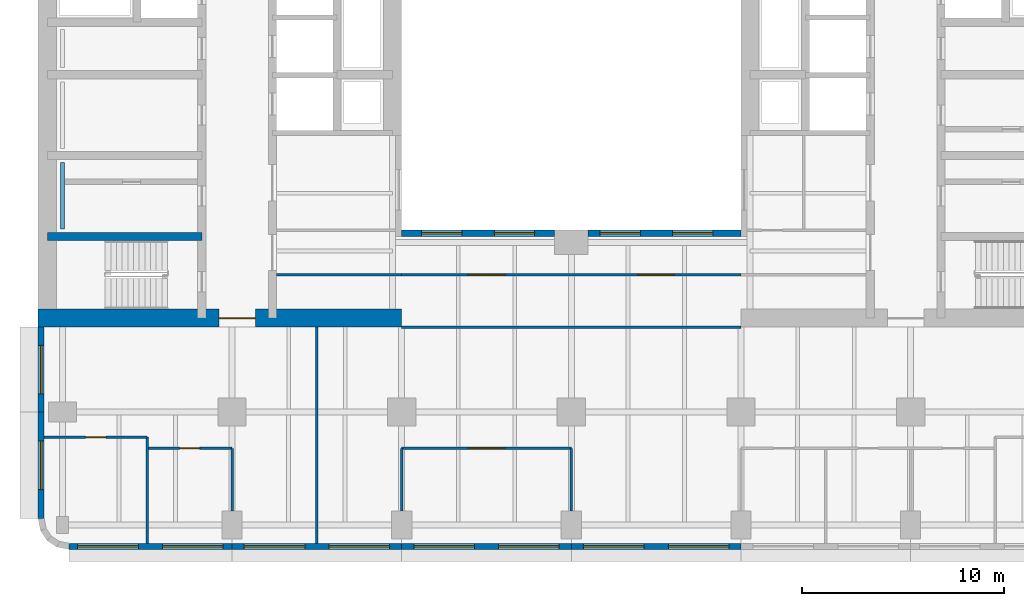
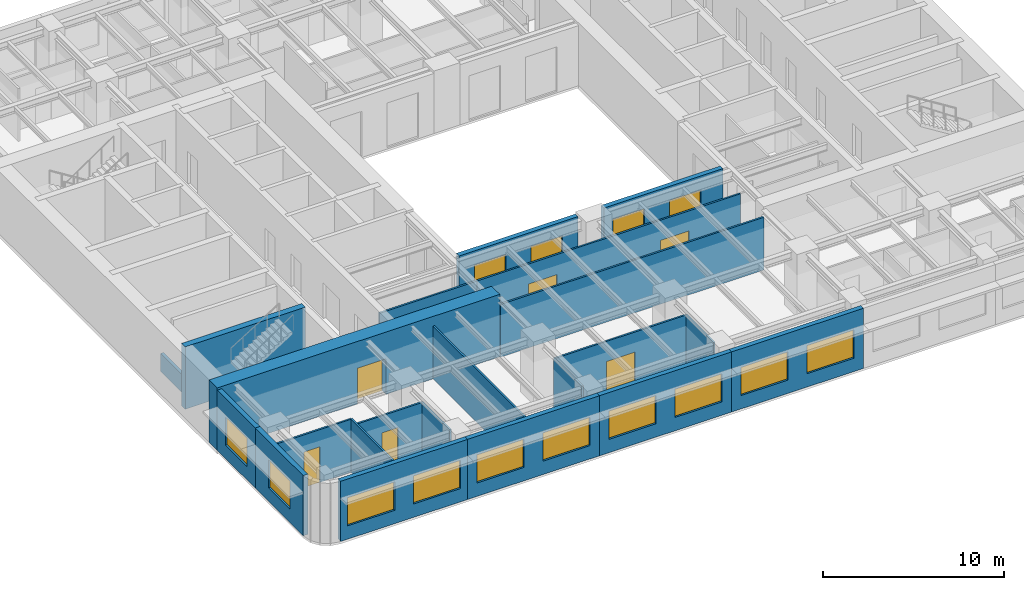
# One storey, part 3 of 11: 22 walls, 14 windows, 6 doors, 20 openings.
"""IFC4 building model written with IfcOpenShell, lengths in metres."""

from ifc_helpers import new_model, si_unit, direction, frame, frame_2d, origin, place, context, subcontext, project, spatial, rectangle, extrude, material, layer, layer_set, type_object, element, fill, save


model = new_model("IFC4")

# Units and contexts
model_context = context("Model", 3, precision=1e-05, world=origin(), true_north=direction((0.0, 1.0)))
body_context = subcontext(model_context, "Body", "Model", "MODEL_VIEW")
ifc_project = project(units=[si_unit("LENGTHUNIT", "METRE"), si_unit("AREAUNIT", "SQUARE_METRE"), si_unit("VOLUMEUNIT", "CUBIC_METRE"), si_unit("PLANEANGLEUNIT", "RADIAN"), si_unit("MASSUNIT", "GRAM", prefix="KILO")], contexts=[model_context])

# Site, building, storey
site_placement = place(None, origin())
site = spatial("IfcSite", under=ifc_project, at=site_placement, CompositionType="ELEMENT")
building_placement = place(site_placement, origin())
building = spatial("IfcBuilding", under=site, at=building_placement, Name="Claustro Exchange Tower", CompositionType="ELEMENT")
storey_placement = place(building_placement, frame((0.0, 0.0, 126.0)))
storey = spatial("IfcBuildingStorey", under=building, at=storey_placement, Name="L28", CompositionType="ELEMENT", Elevation=126.0)

# Wall, opening, door
ifc_material_1 = material(Name="Laminated glass in aluminium frame", Category="aluminium")
ifc_layer_1 = layer(ifc_material_1, 0.1201171875)
ifc_layer_set_1 = layer_set([ifc_layer_1], Name="Laminated glass in aluminium frame")
wall_type_1 = type_object("IfcWallType", Name="P2 120 glazed partition", PredefinedType="PARTITIONING", material=ifc_layer_set_1)
wall_1_placement = place(storey_placement, frame((-0.902099609375, 7.14990234375, 0.0), z_axis=(0.0, 0.0, 1.0), x_axis=(1.0, 0.0, 0.0)))
wall_1 = element("IfcWall", 1, at=wall_1_placement, inside=storey, type_object=wall_type_1, Name="Partition P2 L28", PredefinedType="PARTITIONING", context=body_context, shape_type="SweptSolid", body=[
    extrude(rectangle(XDim=5.10205078125, YDim=0.1201171875, at=frame_2d((2.551025390625, 0.0))), origin(), (0.0, 0.0, 1.0), 3.56005859375),
])
opening_1_placement = place(wall_1_placement, frame((2.052001953125, 0.0, 0.0)))
opening_1 = element("IfcOpeningElement", 2, at=opening_1_placement, cuts=wall_1, Name="Opening D7", PredefinedType="OPENING", context=body_context, shape_type="SweptSolid", body=[
    extrude(rectangle(XDim=1.0, YDim=2.39990234375, at=frame_2d((0.5, 1.199951171875))), frame((0.0, 0.070068359375, 0.0), z_axis=(0.0, -1.0, 0.0), x_axis=(1.0, 0.0, 0.0)), (0.0, 0.0, 1.0), 0.14013671875),
])
ifc_material_2 = material(Name="Glass door in aluminium frame", Category="aluminium")
door_type_1 = type_object("IfcDoorType", Name="D7 1000 x 2400 glazed door", OperationType="SINGLE_SWING_LEFT", PredefinedType="DOOR", material=ifc_material_2)
door_1_placement = place(opening_1_placement, frame((1.0, 0.0, 0.0), z_axis=(0.0, 0.0, 1.0), x_axis=(-1.0, 0.0, 0.0)))
door_1 = element("IfcDoor", 3, at=door_1_placement, inside=storey, type_object=door_type_1, Name="Door D7 L28", OperationType="SINGLE_SWING_LEFT", OverallHeight=2.39990234375, OverallWidth=1.0, PredefinedType="DOOR", context=body_context, shape_type="SweptSolid", body=[
    extrude(rectangle(XDim=1.0, YDim=2.39990234375, at=frame_2d((0.5, 1.199951171875))), frame((0.0, 0.02490234375, 0.0), z_axis=(0.0, -1.0, 0.0), x_axis=(1.0, 0.0, 0.0)), (0.0, 0.0, 1.0), 0.050048828125),
])
fill(opening_1, door_1)

wall_2_placement = place(storey_placement, frame((4.258056640625, 6.60009765625, 0.0), z_axis=(0.0, 0.0, 1.0), x_axis=(1.0, 0.0, 0.0)))
wall_2 = element("IfcWall", 4, at=wall_2_placement, inside=storey, type_object=wall_type_1, Name="Partition P2 L28", PredefinedType="PARTITIONING", context=body_context, shape_type="SweptSolid", body=[
    extrude(rectangle(XDim=4.141845703125, YDim=0.1201171875, at=frame_2d((2.07080078125, 0.0))), origin(), (0.0, 0.0, 1.0), 3.550048828125),
])
opening_2_placement = place(wall_2_placement, frame((1.5419921875, 0.0, 0.0)))
opening_2 = element("IfcOpeningElement", 5, at=opening_2_placement, cuts=wall_2, Name="Opening D7", PredefinedType="OPENING", context=body_context, shape_type="SweptSolid", body=[
    extrude(rectangle(XDim=1.0, YDim=2.39990234375, at=frame_2d((0.5, 1.199951171875))), frame((0.0, 0.070068359375, 0.0), z_axis=(0.0, -1.0, 0.0), x_axis=(1.0, 0.0, 0.0)), (0.0, 0.0, 1.0), 0.14013671875),
])
door_2_placement = place(opening_2_placement, frame((1.0, 0.0, 0.0), z_axis=(0.0, 0.0, 1.0), x_axis=(-1.0, 0.0, 0.0)))
door_2 = element("IfcDoor", 6, at=door_2_placement, inside=storey, type_object=door_type_1, Name="Door D7 L28", OperationType="SINGLE_SWING_RIGHT", OverallHeight=2.39990234375, OverallWidth=1.0, PredefinedType="DOOR", context=body_context, shape_type="SweptSolid", body=[
    extrude(rectangle(XDim=1.0, YDim=2.39990234375, at=frame_2d((0.5, 1.199951171875))), frame((0.0, 0.02490234375, 0.0), z_axis=(0.0, -1.0, 0.0), x_axis=(1.0, 0.0, 0.0)), (0.0, 0.0, 1.0), 0.050048828125),
])
fill(opening_2, door_2)

# Walls
wall_3_placement = place(storey_placement, frame((4.199951171875, 1.89794921875, 0.0), z_axis=(0.0, 0.0, 1.0), x_axis=(0.0, 1.0, 0.0)))
element("IfcWall", 7, at=wall_3_placement, inside=storey, type_object=wall_type_1, Name="Partition P2 L28", PredefinedType="PARTITIONING", context=body_context, shape_type="SweptSolid", body=[
    extrude(rectangle(XDim=5.251953125, YDim=0.1201171875, at=frame_2d((2.6259765625, 0.0))), origin(), (0.0, 0.0, 1.0), 3.56005859375),
])
wall_4_placement = place(storey_placement, frame((8.39990234375, 3.4990234375, 0.0), z_axis=(0.0, 0.0, 1.0), x_axis=(0.0, 1.0, 0.0)))
element("IfcWall", 8, at=wall_4_placement, inside=storey, type_object=wall_type_1, Name="Partition P2 L28", PredefinedType="PARTITIONING", context=body_context, shape_type="SweptSolid", body=[
    extrude(rectangle(XDim=3.10107421875, YDim=0.1201171875, at=frame_2d((1.550537109375, 0.0))), origin(), (0.0, 0.0, 1.0), 3.550048828125),
])

# Wall, opening, door
wall_5_placement = place(storey_placement, frame((16.800048828125, 6.60009765625, 0.0), z_axis=(0.0, 0.0, 1.0), x_axis=(1.0, 0.0, 0.0)))
wall_5 = element("IfcWall", 9, at=wall_5_placement, inside=storey, type_object=wall_type_1, Name="Partition P2 L28", PredefinedType="PARTITIONING", context=body_context, shape_type="SweptSolid", body=[
    extrude(rectangle(XDim=8.39990234375, YDim=0.1201171875, at=frame_2d((4.199951171875, 0.0))), origin(), (0.0, 0.0, 1.0), 3.550048828125),
])
opening_3_placement = place(wall_5_placement, frame((3.300048828125, 0.0, 0.0)))
opening_3 = element("IfcOpeningElement", 10, at=opening_3_placement, cuts=wall_5, Name="Opening D2", PredefinedType="OPENING", context=body_context, shape_type="SweptSolid", body=[
    extrude(rectangle(XDim=1.800048828125, YDim=2.199951171875, at=frame_2d((0.89990234375, 1.10009765625))), frame((0.0, 0.070068359375, 0.0), z_axis=(0.0, -1.0, 0.0), x_axis=(1.0, 0.0, 0.0)), (0.0, 0.0, 1.0), 0.14013671875),
])
ifc_material_3 = material(Name="Timber door, oak veneer", Category="wood")
door_type_2 = type_object("IfcDoorType", Name="D2 1800 x 2200 double door", OperationType="DOUBLE_DOOR_SINGLE_SWING", PredefinedType="DOOR", material=ifc_material_3)
door_3_placement = place(opening_3_placement, frame((1.800048828125, 0.0, 0.0), z_axis=(0.0, 0.0, 1.0), x_axis=(-1.0, 0.0, 0.0)))
door_3 = element("IfcDoor", 11, at=door_3_placement, inside=storey, type_object=door_type_2, Name="Double door D2 L28", OperationType="DOUBLE_DOOR_SINGLE_SWING", OverallHeight=2.199951171875, OverallWidth=1.800048828125, PredefinedType="DOOR", context=body_context, shape_type="SweptSolid", body=[
    extrude(rectangle(XDim=1.800048828125, YDim=2.199951171875, at=frame_2d((0.89990234375, 1.10009765625))), frame((0.0, 0.02490234375, 0.0), z_axis=(0.0, -1.0, 0.0), x_axis=(1.0, 0.0, 0.0)), (0.0, 0.0, 1.0), 0.050048828125),
])
fill(opening_3, door_3)

# Walls
for number, where, z_axis, x_axis, name in (
    (12, (16.800048828125, 3.4990234375, 0.0), (0.0, 0.0, 1.0), (0.0, 1.0, 0.0), "Partition P2 L28"),
    (13, (25.199951171875, 3.4990234375, 0.0), (0.0, 0.0, 1.0), (0.0, 1.0, 0.0), "Partition P2 L28"),
):
    element("IfcWall", number, at=place(storey_placement, frame(where, z_axis=z_axis, x_axis=x_axis)), inside=storey, type_object=wall_type_1, Name=name, PredefinedType="PARTITIONING", context=body_context, shape_type="SweptSolid", body=[
        extrude(rectangle(XDim=3.10107421875, YDim=0.1201171875, at=frame_2d((1.550537109375, 0.0))), origin(), (0.0, 0.0, 1.0), 3.550048828125),
    ])
wall_6_placement = place(storey_placement, frame((12.60009765625, 1.89794921875, 0.0), z_axis=(0.0, 0.0, 1.0), x_axis=(0.0, 1.0, 0.0)))
element("IfcWall", 14, at=wall_6_placement, inside=storey, type_object=wall_type_1, Name="Partition P2 L28", PredefinedType="PARTITIONING", context=body_context, shape_type="SweptSolid", body=[
    extrude(rectangle(XDim=10.7041015625, YDim=0.1201171875, at=frame_2d((5.35205078125, 0.0))), origin(), (0.0, 0.0, 1.0), 3.550048828125),
])
wall_7_placement = place(storey_placement, frame((10.597900390625, 15.199951171875, 0.0), z_axis=(0.0, 0.0, 1.0), x_axis=(1.0, 0.0, 0.0)))
element("IfcWall", 15, at=wall_7_placement, inside=storey, type_object=wall_type_1, Name="Partition P2 L28", PredefinedType="PARTITIONING", context=body_context, shape_type="SweptSolid", body=[
    extrude(rectangle(XDim=6.2041015625, YDim=0.1201171875, at=frame_2d((3.10205078125, 0.0))), origin(), (0.0, 0.0, 1.0), 3.550048828125),
])

# Wall, openings, doors
wall_8_placement = place(storey_placement, frame((16.798095703125, 15.199951171875, 0.0), z_axis=(0.0, 0.0, 1.0), x_axis=(1.0, 0.0, 0.0)))
wall_8 = element("IfcWall", 16, at=wall_8_placement, inside=storey, type_object=wall_type_1, Name="Partition P2 L28", PredefinedType="PARTITIONING", context=body_context, shape_type="SweptSolid", body=[
    extrude(rectangle(XDim=16.803955078125, YDim=0.1201171875, at=frame_2d((8.40185546875, 0.0))), origin(), (0.0, 0.0, 1.0), 3.550048828125),
])
opening_4_placement = place(wall_8_placement, frame((3.302001953125, 0.0, 0.0)))
opening_4 = element("IfcOpeningElement", 17, at=opening_4_placement, cuts=wall_8, Name="Opening D2", PredefinedType="OPENING", context=body_context, shape_type="SweptSolid", body=[
    extrude(rectangle(XDim=1.800048828125, YDim=2.199951171875, at=frame_2d((0.89990234375, 1.10009765625))), frame((0.0, 0.070068359375, 0.0), z_axis=(0.0, -1.0, 0.0), x_axis=(1.0, 0.0, 0.0)), (0.0, 0.0, 1.0), 0.14013671875),
])
opening_5_placement = place(wall_8_placement, frame((11.701904296875, 0.0, 0.0)))
opening_5 = element("IfcOpeningElement", 18, at=opening_5_placement, cuts=wall_8, Name="Opening D2", PredefinedType="OPENING", context=body_context, shape_type="SweptSolid", body=[
    extrude(rectangle(XDim=1.800048828125, YDim=2.199951171875, at=frame_2d((0.89990234375, 1.10009765625))), frame((0.0, 0.070068359375, 0.0), z_axis=(0.0, -1.0, 0.0), x_axis=(1.0, 0.0, 0.0)), (0.0, 0.0, 1.0), 0.14013671875),
])
door_4_placement = place(opening_4_placement, frame((1.800048828125, 0.0, 0.0), z_axis=(0.0, 0.0, 1.0), x_axis=(-1.0, 0.0, 0.0)))
door_4 = element("IfcDoor", 19, at=door_4_placement, inside=storey, type_object=door_type_2, Name="Double door D2 L28", OperationType="DOUBLE_DOOR_SINGLE_SWING", OverallHeight=2.199951171875, OverallWidth=1.800048828125, PredefinedType="DOOR", context=body_context, shape_type="SweptSolid", body=[
    extrude(rectangle(XDim=1.800048828125, YDim=2.199951171875, at=frame_2d((0.89990234375, 1.10009765625))), frame((0.0, 0.02490234375, 0.0), z_axis=(0.0, -1.0, 0.0), x_axis=(1.0, 0.0, 0.0)), (0.0, 0.0, 1.0), 0.050048828125),
])
fill(opening_4, door_4)
door_5_placement = place(opening_5_placement, frame((1.800048828125, 0.0, 0.0), z_axis=(0.0, 0.0, 1.0), x_axis=(-1.0, 0.0, 0.0)))
door_5 = element("IfcDoor", 20, at=door_5_placement, inside=storey, type_object=door_type_2, Name="Double door D2 L28", OperationType="DOUBLE_DOOR_SINGLE_SWING", OverallHeight=2.199951171875, OverallWidth=1.800048828125, PredefinedType="DOOR", context=body_context, shape_type="SweptSolid", body=[
    extrude(rectangle(XDim=1.800048828125, YDim=2.199951171875, at=frame_2d((0.89990234375, 1.10009765625))), frame((0.0, 0.02490234375, 0.0), z_axis=(0.0, -1.0, 0.0), x_axis=(1.0, 0.0, 0.0)), (0.0, 0.0, 1.0), 0.050048828125),
])
fill(opening_5, door_5)

# Wall
wall_9_placement = place(storey_placement, frame((16.800048828125, 12.60009765625, 0.0), z_axis=(0.0, 0.0, 1.0), x_axis=(1.0, 0.0, 0.0)))
element("IfcWall", 21, at=wall_9_placement, inside=storey, type_object=wall_type_1, Name="Partition P2 L28", PredefinedType="PARTITIONING", context=body_context, shape_type="SweptSolid", body=[
    extrude(rectangle(XDim=16.800048828125, YDim=0.1201171875, at=frame_2d((8.39990234375, 0.0))), origin(), (0.0, 0.0, 1.0), 3.550048828125),
])

# Wall, openings, windows
ifc_material_4 = material(Name="Concrete HA-40 (C40/50), precast, white cement, acid-etched", Category="concrete")
ifc_layer_2 = layer(ifc_material_4, 0.300048828125)
ifc_layer_set_2 = layer_set([ifc_layer_2], Name="Concrete HA-40 (C40/50), precast, white cement, acid-etched")
wall_type_2 = type_object("IfcWallType", Name="PC1 300 precast concrete pier panel", PredefinedType="SOLIDWALL", material=ifc_layer_set_2)
wall_10_placement = place(storey_placement, frame((33.60009765625, 1.75, 0.0), z_axis=(0.0, 0.0, 1.0), x_axis=(-1.0, 0.0, 0.0)))
wall_10 = element("IfcWall", 22, at=wall_10_placement, inside=storey, type_object=wall_type_2, Name="Precast pier panel PC1 L28", PredefinedType="SOLIDWALL", context=body_context, shape_type="SweptSolid", body=[
    extrude(rectangle(XDim=8.400146484375, YDim=0.300048828125, at=frame_2d((4.2001953125, 0.0))), origin(), (0.0, 0.0, 1.0), 4.050048828125),
])
opening_6_placement = place(wall_10_placement, frame((0.60009765625, 0.0, 0.89990234375)))
opening_6 = element("IfcOpeningElement", 23, at=opening_6_placement, cuts=wall_10, Name="Opening W1", PredefinedType="OPENING", context=body_context, shape_type="SweptSolid", body=[
    extrude(rectangle(XDim=3.0, YDim=1.89990234375, at=frame_2d((1.5, 0.949951171875))), frame((0.0, 0.159912109375, 0.0), z_axis=(0.0, -1.0, 0.0), x_axis=(1.0, 0.0, 0.0)), (0.0, 0.0, 1.0), 0.320068359375),
])
opening_7_placement = place(wall_10_placement, frame((4.800048828125, 0.0, 0.89990234375)))
opening_7 = element("IfcOpeningElement", 24, at=opening_7_placement, cuts=wall_10, Name="Opening W1", PredefinedType="OPENING", context=body_context, shape_type="SweptSolid", body=[
    extrude(rectangle(XDim=3.0, YDim=1.89990234375, at=frame_2d((1.5, 0.949951171875))), frame((0.0, 0.159912109375, 0.0), z_axis=(0.0, -1.0, 0.0), x_axis=(1.0, 0.0, 0.0)), (0.0, 0.0, 1.0), 0.320068359375),
])
ifc_material_5 = material(Name="Aluminium frame, clear double glazing", Category="aluminium")
window_type_1 = type_object("IfcWindowType", Name="W1 3000 x 1900 window", PartitioningType="SINGLE_PANEL", PredefinedType="WINDOW", material=ifc_material_5)
window_1_placement = place(opening_6_placement, origin())
window_1 = element("IfcWindow", 25, at=window_1_placement, inside=storey, type_object=window_type_1, Name="Window W1 L28", OverallHeight=1.89990234375, OverallWidth=3.0, PartitioningType="SINGLE_PANEL", PredefinedType="WINDOW", context=body_context, shape_type="SweptSolid", body=[
    extrude(rectangle(XDim=3.0, YDim=1.89990234375, at=frame_2d((1.5, 0.949951171875))), frame((0.0, 0.030029296875, 0.0), z_axis=(0.0, -1.0, 0.0), x_axis=(1.0, 0.0, 0.0)), (0.0, 0.0, 1.0), 0.06005859375),
])
fill(opening_6, window_1)
window_2_placement = place(opening_7_placement, origin())
window_2 = element("IfcWindow", 26, at=window_2_placement, inside=storey, type_object=window_type_1, Name="Window W1 L28", OverallHeight=1.89990234375, OverallWidth=3.0, PartitioningType="SINGLE_PANEL", PredefinedType="WINDOW", context=body_context, shape_type="SweptSolid", body=[
    extrude(rectangle(XDim=3.0, YDim=1.89990234375, at=frame_2d((1.5, 0.949951171875))), frame((0.0, 0.030029296875, 0.0), z_axis=(0.0, -1.0, 0.0), x_axis=(1.0, 0.0, 0.0)), (0.0, 0.0, 1.0), 0.06005859375),
])
fill(opening_7, window_2)

wall_11_placement = place(storey_placement, frame((25.199951171875, 1.75, 0.0), z_axis=(0.0, 0.0, 1.0), x_axis=(-1.0, 0.0, 0.0)))
wall_11 = element("IfcWall", 27, at=wall_11_placement, inside=storey, type_object=wall_type_2, Name="Precast pier panel PC1 L28", PredefinedType="SOLIDWALL", context=body_context, shape_type="SweptSolid", body=[
    extrude(rectangle(XDim=8.39990234375, YDim=0.300048828125, at=frame_2d((4.199951171875, 0.0))), origin(), (0.0, 0.0, 1.0), 4.050048828125),
])
opening_8_placement = place(wall_11_placement, frame((0.60009765625, 0.0, 0.89990234375)))
opening_8 = element("IfcOpeningElement", 28, at=opening_8_placement, cuts=wall_11, Name="Opening W1", PredefinedType="OPENING", context=body_context, shape_type="SweptSolid", body=[
    extrude(rectangle(XDim=3.0, YDim=1.89990234375, at=frame_2d((1.5, 0.949951171875))), frame((0.0, 0.159912109375, 0.0), z_axis=(0.0, -1.0, 0.0), x_axis=(1.0, 0.0, 0.0)), (0.0, 0.0, 1.0), 0.320068359375),
])
opening_9_placement = place(wall_11_placement, frame((4.800048828125, 0.0, 0.89990234375)))
opening_9 = element("IfcOpeningElement", 29, at=opening_9_placement, cuts=wall_11, Name="Opening W1", PredefinedType="OPENING", context=body_context, shape_type="SweptSolid", body=[
    extrude(rectangle(XDim=3.0, YDim=1.89990234375, at=frame_2d((1.5, 0.949951171875))), frame((0.0, 0.159912109375, 0.0), z_axis=(0.0, -1.0, 0.0), x_axis=(1.0, 0.0, 0.0)), (0.0, 0.0, 1.0), 0.320068359375),
])
window_3_placement = place(opening_8_placement, origin())
window_3 = element("IfcWindow", 30, at=window_3_placement, inside=storey, type_object=window_type_1, Name="Window W1 L28", OverallHeight=1.89990234375, OverallWidth=3.0, PartitioningType="SINGLE_PANEL", PredefinedType="WINDOW", context=body_context, shape_type="SweptSolid", body=[
    extrude(rectangle(XDim=3.0, YDim=1.89990234375, at=frame_2d((1.5, 0.949951171875))), frame((0.0, 0.030029296875, 0.0), z_axis=(0.0, -1.0, 0.0), x_axis=(1.0, 0.0, 0.0)), (0.0, 0.0, 1.0), 0.06005859375),
])
fill(opening_8, window_3)
window_4_placement = place(opening_9_placement, origin())
window_4 = element("IfcWindow", 31, at=window_4_placement, inside=storey, type_object=window_type_1, Name="Window W1 L28", OverallHeight=1.89990234375, OverallWidth=3.0, PartitioningType="SINGLE_PANEL", PredefinedType="WINDOW", context=body_context, shape_type="SweptSolid", body=[
    extrude(rectangle(XDim=3.0, YDim=1.89990234375, at=frame_2d((1.5, 0.949951171875))), frame((0.0, 0.030029296875, 0.0), z_axis=(0.0, -1.0, 0.0), x_axis=(1.0, 0.0, 0.0)), (0.0, 0.0, 1.0), 0.06005859375),
])
fill(opening_9, window_4)

wall_12_placement = place(storey_placement, frame((16.800048828125, 1.75, 0.0), z_axis=(0.0, 0.0, 1.0), x_axis=(-1.0, 0.0, 0.0)))
wall_12 = element("IfcWall", 32, at=wall_12_placement, inside=storey, type_object=wall_type_2, Name="Precast pier panel PC1 L28", PredefinedType="SOLIDWALL", context=body_context, shape_type="SweptSolid", body=[
    extrude(rectangle(XDim=8.400146484375, YDim=0.300048828125, at=frame_2d((4.2001953125, 0.0))), origin(), (0.0, 0.0, 1.0), 4.050048828125),
])
opening_10_placement = place(wall_12_placement, frame((0.60009765625, 0.0, 0.89990234375)))
opening_10 = element("IfcOpeningElement", 33, at=opening_10_placement, cuts=wall_12, Name="Opening W1", PredefinedType="OPENING", context=body_context, shape_type="SweptSolid", body=[
    extrude(rectangle(XDim=3.0, YDim=1.89990234375, at=frame_2d((1.5, 0.949951171875))), frame((0.0, 0.159912109375, 0.0), z_axis=(0.0, -1.0, 0.0), x_axis=(1.0, 0.0, 0.0)), (0.0, 0.0, 1.0), 0.320068359375),
])
opening_11_placement = place(wall_12_placement, frame((4.800048828125, 0.0, 0.89990234375)))
opening_11 = element("IfcOpeningElement", 34, at=opening_11_placement, cuts=wall_12, Name="Opening W1", PredefinedType="OPENING", context=body_context, shape_type="SweptSolid", body=[
    extrude(rectangle(XDim=3.0, YDim=1.89990234375, at=frame_2d((1.5, 0.949951171875))), frame((0.0, 0.159912109375, 0.0), z_axis=(0.0, -1.0, 0.0), x_axis=(1.0, 0.0, 0.0)), (0.0, 0.0, 1.0), 0.320068359375),
])
window_5_placement = place(opening_10_placement, origin())
window_5 = element("IfcWindow", 35, at=window_5_placement, inside=storey, type_object=window_type_1, Name="Window W1 L28", OverallHeight=1.89990234375, OverallWidth=3.0, PartitioningType="SINGLE_PANEL", PredefinedType="WINDOW", context=body_context, shape_type="SweptSolid", body=[
    extrude(rectangle(XDim=3.0, YDim=1.89990234375, at=frame_2d((1.5, 0.949951171875))), frame((0.0, 0.030029296875, 0.0), z_axis=(0.0, -1.0, 0.0), x_axis=(1.0, 0.0, 0.0)), (0.0, 0.0, 1.0), 0.06005859375),
])
fill(opening_10, window_5)
window_6_placement = place(opening_11_placement, origin())
window_6 = element("IfcWindow", 36, at=window_6_placement, inside=storey, type_object=window_type_1, Name="Window W1 L28", OverallHeight=1.89990234375, OverallWidth=3.0, PartitioningType="SINGLE_PANEL", PredefinedType="WINDOW", context=body_context, shape_type="SweptSolid", body=[
    extrude(rectangle(XDim=3.0, YDim=1.89990234375, at=frame_2d((1.5, 0.949951171875))), frame((0.0, 0.030029296875, 0.0), z_axis=(0.0, -1.0, 0.0), x_axis=(1.0, 0.0, 0.0)), (0.0, 0.0, 1.0), 0.06005859375),
])
fill(opening_11, window_6)

wall_13_placement = place(storey_placement, frame((8.39990234375, 1.75, 0.0), z_axis=(0.0, 0.0, 1.0), x_axis=(-1.0, 0.0, 0.0)))
wall_13 = element("IfcWall", 37, at=wall_13_placement, inside=storey, type_object=wall_type_2, Name="Precast pier panel PC1 L28", PredefinedType="SOLIDWALL", context=body_context, shape_type="SweptSolid", body=[
    extrude(rectangle(XDim=8.085205078125, YDim=0.300048828125, at=frame_2d((4.04248046875, 0.0))), origin(), (0.0, 0.0, 1.0), 4.050048828125),
])
opening_12_placement = place(wall_13_placement, frame((0.442626953125, 0.0, 0.89990234375)))
opening_12 = element("IfcOpeningElement", 38, at=opening_12_placement, cuts=wall_13, Name="Opening W1", PredefinedType="OPENING", context=body_context, shape_type="SweptSolid", body=[
    extrude(rectangle(XDim=3.0, YDim=1.89990234375, at=frame_2d((1.5, 0.949951171875))), frame((0.0, 0.159912109375, 0.0), z_axis=(0.0, -1.0, 0.0), x_axis=(1.0, 0.0, 0.0)), (0.0, 0.0, 1.0), 0.320068359375),
])
opening_13_placement = place(wall_13_placement, frame((4.642578125, 0.0, 0.89990234375)))
opening_13 = element("IfcOpeningElement", 39, at=opening_13_placement, cuts=wall_13, Name="Opening W1", PredefinedType="OPENING", context=body_context, shape_type="SweptSolid", body=[
    extrude(rectangle(XDim=3.0, YDim=1.89990234375, at=frame_2d((1.5, 0.949951171875))), frame((0.0, 0.159912109375, 0.0), z_axis=(0.0, -1.0, 0.0), x_axis=(1.0, 0.0, 0.0)), (0.0, 0.0, 1.0), 0.320068359375),
])
window_7_placement = place(opening_12_placement, origin())
window_7 = element("IfcWindow", 40, at=window_7_placement, inside=storey, type_object=window_type_1, Name="Window W1 L28", OverallHeight=1.89990234375, OverallWidth=3.0, PartitioningType="SINGLE_PANEL", PredefinedType="WINDOW", context=body_context, shape_type="SweptSolid", body=[
    extrude(rectangle(XDim=3.0, YDim=1.89990234375, at=frame_2d((1.5, 0.949951171875))), frame((0.0, 0.030029296875, 0.0), z_axis=(0.0, -1.0, 0.0), x_axis=(1.0, 0.0, 0.0)), (0.0, 0.0, 1.0), 0.06005859375),
])
fill(opening_12, window_7)
window_8_placement = place(opening_13_placement, origin())
window_8 = element("IfcWindow", 41, at=window_8_placement, inside=storey, type_object=window_type_1, Name="Window W1 L28", OverallHeight=1.89990234375, OverallWidth=3.0, PartitioningType="SINGLE_PANEL", PredefinedType="WINDOW", context=body_context, shape_type="SweptSolid", body=[
    extrude(rectangle(XDim=3.0, YDim=1.89990234375, at=frame_2d((1.5, 0.949951171875))), frame((0.0, 0.030029296875, 0.0), z_axis=(0.0, -1.0, 0.0), x_axis=(1.0, 0.0, 0.0)), (0.0, 0.0, 1.0), 0.06005859375),
])
fill(opening_13, window_8)

# Wall, opening, window
wall_14_placement = place(storey_placement, frame((-1.050048828125, 3.11474609375, 0.0), z_axis=(0.0, 0.0, 1.0), x_axis=(0.0, 1.0, 0.0)))
wall_14 = element("IfcWall", 42, at=wall_14_placement, inside=storey, type_object=wall_type_2, Name="Precast pier panel PC1 L28", PredefinedType="SOLIDWALL", context=body_context, shape_type="SweptSolid", body=[
    extrude(rectangle(XDim=5.28515625, YDim=0.300048828125, at=frame_2d((2.642578125, 0.0))), origin(), (0.0, 0.0, 1.0), 4.050048828125),
])
opening_14_placement = place(wall_14_placement, frame((1.442626953125, 0.0, 0.89990234375)))
opening_14 = element("IfcOpeningElement", 43, at=opening_14_placement, cuts=wall_14, Name="Opening W2", PredefinedType="OPENING", context=body_context, shape_type="SweptSolid", body=[
    extrude(rectangle(XDim=2.39990234375, YDim=1.89990234375, at=frame_2d((1.199951171875, 0.949951171875))), frame((0.0, 0.159912109375, 0.0), z_axis=(0.0, -1.0, 0.0), x_axis=(1.0, 0.0, 0.0)), (0.0, 0.0, 1.0), 0.320068359375),
])
ifc_material_6 = material(Name="Aluminium frame, clear double glazing", Category="aluminium")
window_type_2 = type_object("IfcWindowType", Name="W2 2400 x 1900 window", PartitioningType="SINGLE_PANEL", PredefinedType="WINDOW", material=ifc_material_6)
window_9_placement = place(opening_14_placement, origin())
window_9 = element("IfcWindow", 44, at=window_9_placement, inside=storey, type_object=window_type_2, Name="Window W2 L28", OverallHeight=1.89990234375, OverallWidth=2.39990234375, PartitioningType="SINGLE_PANEL", PredefinedType="WINDOW", context=body_context, shape_type="SweptSolid", body=[
    extrude(rectangle(XDim=2.39990234375, YDim=1.89990234375, at=frame_2d((1.199951171875, 0.949951171875))), frame((0.0, 0.030029296875, 0.0), z_axis=(0.0, -1.0, 0.0), x_axis=(1.0, 0.0, 0.0)), (0.0, 0.0, 1.0), 0.06005859375),
])
fill(opening_14, window_9)

wall_15_placement = place(storey_placement, frame((-1.050048828125, 8.39990234375, 0.0), z_axis=(0.0, 0.0, 1.0), x_axis=(0.0, 1.0, 0.0)))
wall_15 = element("IfcWall", 45, at=wall_15_placement, inside=storey, type_object=wall_type_2, Name="Precast pier panel PC1 L28", PredefinedType="SOLIDWALL", context=body_context, shape_type="SweptSolid", body=[
    extrude(rectangle(XDim=4.2001953125, YDim=0.300048828125, at=frame_2d((2.10009765625, 0.0))), origin(), (0.0, 0.0, 1.0), 4.050048828125),
])
opening_15_placement = place(wall_15_placement, frame((0.89990234375, 0.0, 0.89990234375)))
opening_15 = element("IfcOpeningElement", 46, at=opening_15_placement, cuts=wall_15, Name="Opening W2", PredefinedType="OPENING", context=body_context, shape_type="SweptSolid", body=[
    extrude(rectangle(XDim=2.39990234375, YDim=1.89990234375, at=frame_2d((1.199951171875, 0.949951171875))), frame((0.0, 0.159912109375, 0.0), z_axis=(0.0, -1.0, 0.0), x_axis=(1.0, 0.0, 0.0)), (0.0, 0.0, 1.0), 0.320068359375),
])
window_10_placement = place(opening_15_placement, origin())
window_10 = element("IfcWindow", 47, at=window_10_placement, inside=storey, type_object=window_type_2, Name="Window W2 L28", OverallHeight=1.89990234375, OverallWidth=2.39990234375, PartitioningType="SINGLE_PANEL", PredefinedType="WINDOW", context=body_context, shape_type="SweptSolid", body=[
    extrude(rectangle(XDim=2.39990234375, YDim=1.89990234375, at=frame_2d((1.199951171875, 0.949951171875))), frame((0.0, 0.030029296875, 0.0), z_axis=(0.0, -1.0, 0.0), x_axis=(1.0, 0.0, 0.0)), (0.0, 0.0, 1.0), 0.06005859375),
])
fill(opening_15, window_10)

# Wall, openings, windows
wall_16_placement = place(storey_placement, frame((16.800048828125, 17.25, 0.0), z_axis=(0.0, 0.0, 1.0), x_axis=(1.0, 0.0, 0.0)))
wall_16 = element("IfcWall", 48, at=wall_16_placement, inside=storey, type_object=wall_type_2, Name="Precast pier panel PC1 L28", PredefinedType="SOLIDWALL", context=body_context, shape_type="SweptSolid", body=[
    extrude(rectangle(XDim=7.574951171875, YDim=0.300048828125, at=frame_2d((3.78759765625, 0.0))), origin(), (0.0, 0.0, 1.0), 4.050048828125),
])
opening_16_placement = place(wall_16_placement, frame((0.987548828125, 0.0, 0.10009765625)))
opening_16 = element("IfcOpeningElement", 49, at=opening_16_placement, cuts=wall_16, Name="Opening W-A", PredefinedType="OPENING", context=body_context, shape_type="SweptSolid", body=[
    extrude(rectangle(XDim=2.0, YDim=3.0, at=frame_2d((1.0, 1.5))), frame((0.0, 0.159912109375, 0.0), z_axis=(0.0, -1.0, 0.0), x_axis=(1.0, 0.0, 0.0)), (0.0, 0.0, 1.0), 0.320068359375),
])
opening_17_placement = place(wall_16_placement, frame((4.58740234375, 0.0, 0.10009765625)))
opening_17 = element("IfcOpeningElement", 50, at=opening_17_placement, cuts=wall_16, Name="Opening W-A", PredefinedType="OPENING", context=body_context, shape_type="SweptSolid", body=[
    extrude(rectangle(XDim=2.0, YDim=3.0, at=frame_2d((1.0, 1.5))), frame((0.0, 0.159912109375, 0.0), z_axis=(0.0, -1.0, 0.0), x_axis=(1.0, 0.0, 0.0)), (0.0, 0.0, 1.0), 0.320068359375),
])
ifc_material_7 = material(Name="Aluminium frame, clear double glazing", Category="aluminium")
window_type_3 = type_object("IfcWindowType", Name="W-A 2000 x 3000 arcade window", PartitioningType="SINGLE_PANEL", PredefinedType="WINDOW", material=ifc_material_7)
window_11_placement = place(opening_16_placement, origin())
window_11 = element("IfcWindow", 51, at=window_11_placement, inside=storey, type_object=window_type_3, Name="Window W-A L28", OverallHeight=3.0, OverallWidth=2.0, PartitioningType="SINGLE_PANEL", PredefinedType="WINDOW", context=body_context, shape_type="SweptSolid", body=[
    extrude(rectangle(XDim=2.0, YDim=3.0, at=frame_2d((1.0, 1.5))), frame((0.0, 0.030029296875, 0.0), z_axis=(0.0, -1.0, 0.0), x_axis=(1.0, 0.0, 0.0)), (0.0, 0.0, 1.0), 0.06005859375),
])
fill(opening_16, window_11)
window_12_placement = place(opening_17_placement, origin())
window_12 = element("IfcWindow", 52, at=window_12_placement, inside=storey, type_object=window_type_3, Name="Window W-A L28", OverallHeight=3.0, OverallWidth=2.0, PartitioningType="SINGLE_PANEL", PredefinedType="WINDOW", context=body_context, shape_type="SweptSolid", body=[
    extrude(rectangle(XDim=2.0, YDim=3.0, at=frame_2d((1.0, 1.5))), frame((0.0, 0.030029296875, 0.0), z_axis=(0.0, -1.0, 0.0), x_axis=(1.0, 0.0, 0.0)), (0.0, 0.0, 1.0), 0.06005859375),
])
fill(opening_17, window_12)

wall_17_placement = place(storey_placement, frame((26.02490234375, 17.25, 0.0), z_axis=(0.0, 0.0, 1.0), x_axis=(1.0, 0.0, 0.0)))
wall_17 = element("IfcWall", 53, at=wall_17_placement, inside=storey, type_object=wall_type_2, Name="Precast pier panel PC1 L28", PredefinedType="SOLIDWALL", context=body_context, shape_type="SweptSolid", body=[
    extrude(rectangle(XDim=7.5751953125, YDim=0.300048828125, at=frame_2d((3.78759765625, 0.0))), origin(), (0.0, 0.0, 1.0), 4.050048828125),
])
opening_18_placement = place(wall_17_placement, frame((0.58740234375, 0.0, 0.10009765625)))
opening_18 = element("IfcOpeningElement", 54, at=opening_18_placement, cuts=wall_17, Name="Opening W-A", PredefinedType="OPENING", context=body_context, shape_type="SweptSolid", body=[
    extrude(rectangle(XDim=2.0, YDim=3.0, at=frame_2d((1.0, 1.5))), frame((0.0, 0.159912109375, 0.0), z_axis=(0.0, -1.0, 0.0), x_axis=(1.0, 0.0, 0.0)), (0.0, 0.0, 1.0), 0.320068359375),
])
opening_19_placement = place(wall_17_placement, frame((4.1875, 0.0, 0.10009765625)))
opening_19 = element("IfcOpeningElement", 55, at=opening_19_placement, cuts=wall_17, Name="Opening W-A", PredefinedType="OPENING", context=body_context, shape_type="SweptSolid", body=[
    extrude(rectangle(XDim=2.0, YDim=3.0, at=frame_2d((1.0, 1.5))), frame((0.0, 0.159912109375, 0.0), z_axis=(0.0, -1.0, 0.0), x_axis=(1.0, 0.0, 0.0)), (0.0, 0.0, 1.0), 0.320068359375),
])
window_13_placement = place(opening_18_placement, origin())
window_13 = element("IfcWindow", 56, at=window_13_placement, inside=storey, type_object=window_type_3, Name="Window W-A L28", OverallHeight=3.0, OverallWidth=2.0, PartitioningType="SINGLE_PANEL", PredefinedType="WINDOW", context=body_context, shape_type="SweptSolid", body=[
    extrude(rectangle(XDim=2.0, YDim=3.0, at=frame_2d((1.0, 1.5))), frame((0.0, 0.030029296875, 0.0), z_axis=(0.0, -1.0, 0.0), x_axis=(1.0, 0.0, 0.0)), (0.0, 0.0, 1.0), 0.06005859375),
])
fill(opening_18, window_13)
window_14_placement = place(opening_19_placement, origin())
window_14 = element("IfcWindow", 57, at=window_14_placement, inside=storey, type_object=window_type_3, Name="Window W-A L28", OverallHeight=3.0, OverallWidth=2.0, PartitioningType="SINGLE_PANEL", PredefinedType="WINDOW", context=body_context, shape_type="SweptSolid", body=[
    extrude(rectangle(XDim=2.0, YDim=3.0, at=frame_2d((1.0, 1.5))), frame((0.0, 0.030029296875, 0.0), z_axis=(0.0, -1.0, 0.0), x_axis=(1.0, 0.0, 0.0)), (0.0, 0.0, 1.0), 0.06005859375),
])
fill(opening_19, window_14)

# Wall
ifc_material_8 = material(Name="Gypsum board on steel studs, tiled", Category="steel")
ifc_layer_3 = layer(ifc_material_8, 0.199951171875)
ifc_layer_set_3 = layer_set([ifc_layer_3], Name="Gypsum board on steel studs, tiled")
wall_type_3 = type_object("IfcWallType", Name="PW1 200 WC duct wall", PredefinedType="PLUMBINGWALL", material=ifc_layer_set_3)
wall_18_placement = place(storey_placement, frame((0.0, 17.449951171875, 0.0), z_axis=(0.0, 0.0, 1.0), x_axis=(0.0, 1.0, 0.0)))
element("IfcWall", 58, at=wall_18_placement, inside=storey, type_object=wall_type_3, Name="WC duct wall PW1 L28", PredefinedType="PLUMBINGWALL", context=body_context, shape_type="SweptSolid", body=[
    extrude(rectangle(XDim=3.300048828125, YDim=0.199951171875, at=frame_2d((1.64990234375, 0.0))), origin(), (0.0, 0.0, 1.0), 1.199951171875),
])

# Wall, opening, door
ifc_material_9 = material(Name="Concrete HA-70 (C70/85)", Category="concrete")
ifc_layer_4 = layer(ifc_material_9, 0.89990234375)
ifc_layer_set_4 = layer_set([ifc_layer_4], Name="Concrete HA-70 (C70/85)")
wall_type_4 = type_object("IfcWallType", Name="SW1 900 core shear wall", PredefinedType="SHEAR", material=ifc_layer_set_4)
wall_19_placement = place(storey_placement, frame((-1.199951171875, 13.050048828125, 0.0), z_axis=(0.0, 0.0, 1.0), x_axis=(1.0, 0.0, 0.0)))
wall_19 = element("IfcWall", 59, at=wall_19_placement, inside=storey, type_object=wall_type_4, Name="Core wall SW1 W core S face L28", PredefinedType="SHEAR", context=body_context, shape_type="SweptSolid", body=[
    extrude(rectangle(XDim=18.0, YDim=0.89990234375, at=frame_2d((9.0, 0.0))), origin(), (0.0, 0.0, 1.0), 4.199951171875),
])
opening_20_placement = place(wall_19_placement, frame((8.949951171875, 0.0, 0.0)))
opening_20 = element("IfcOpeningElement", 60, at=opening_20_placement, cuts=wall_19, Name="Opening D3", PredefinedType="OPENING", context=body_context, shape_type="SweptSolid", body=[
    extrude(rectangle(XDim=1.800048828125, YDim=2.39990234375, at=frame_2d((0.89990234375, 1.199951171875))), frame((0.0, 0.4599609375, 0.0), z_axis=(0.0, -1.0, 0.0), x_axis=(1.0, 0.0, 0.0)), (0.0, 0.0, 1.0), 0.919921875),
])
ifc_material_10 = material(Name="Steel fire door, painted", Category="steel")
door_type_3 = type_object("IfcDoorType", Name="D3 1800 x 2400 fire-rated lobby double door", OperationType="DOUBLE_DOOR_SINGLE_SWING", PredefinedType="DOOR", material=ifc_material_10)
door_6_placement = place(opening_20_placement, frame((1.800048828125, 0.0, 0.0), z_axis=(0.0, 0.0, 1.0), x_axis=(-1.0, 0.0, 0.0)))
door_6 = element("IfcDoor", 61, at=door_6_placement, inside=storey, type_object=door_type_3, Name="Lift lobby door D3 L28", OperationType="DOUBLE_DOOR_SINGLE_SWING", OverallHeight=2.39990234375, OverallWidth=1.800048828125, PredefinedType="DOOR", context=body_context, shape_type="SweptSolid", body=[
    extrude(rectangle(XDim=1.800048828125, YDim=2.39990234375, at=frame_2d((0.89990234375, 1.199951171875))), frame((0.0, 0.02490234375, 0.0), z_axis=(0.0, -1.0, 0.0), x_axis=(1.0, 0.0, 0.0)), (0.0, 0.0, 1.0), 0.050048828125),
])
fill(opening_20, door_6)

# Wall
ifc_material_11 = material(Name="Concrete HA-50 (C50/60)", Category="concrete")
ifc_layer_5 = layer(ifc_material_11, 0.39990234375)
ifc_layer_set_5 = layer_set([ifc_layer_5], Name="Concrete HA-50 (C50/60)")
wall_type_5 = type_object("IfcWallType", Name="SW4 400 internal core wall", PredefinedType="SHEAR", material=ifc_layer_set_5)
wall_20_placement = place(storey_placement, frame((-0.75, 17.10009765625, 0.0), z_axis=(0.0, 0.0, 1.0), x_axis=(1.0, 0.0, 0.0)))
element("IfcWall", 62, at=wall_20_placement, inside=storey, type_object=wall_type_5, Name="Internal core wall SW4 W core L28", PredefinedType="SHEAR", context=body_context, shape_type="SweptSolid", body=[
    extrude(rectangle(XDim=7.64990234375, YDim=0.39990234375, at=frame_2d((3.824951171875, 0.0))), origin(), (0.0, 0.0, 1.0), 4.199951171875),
])

save(model, "model.ifc")
